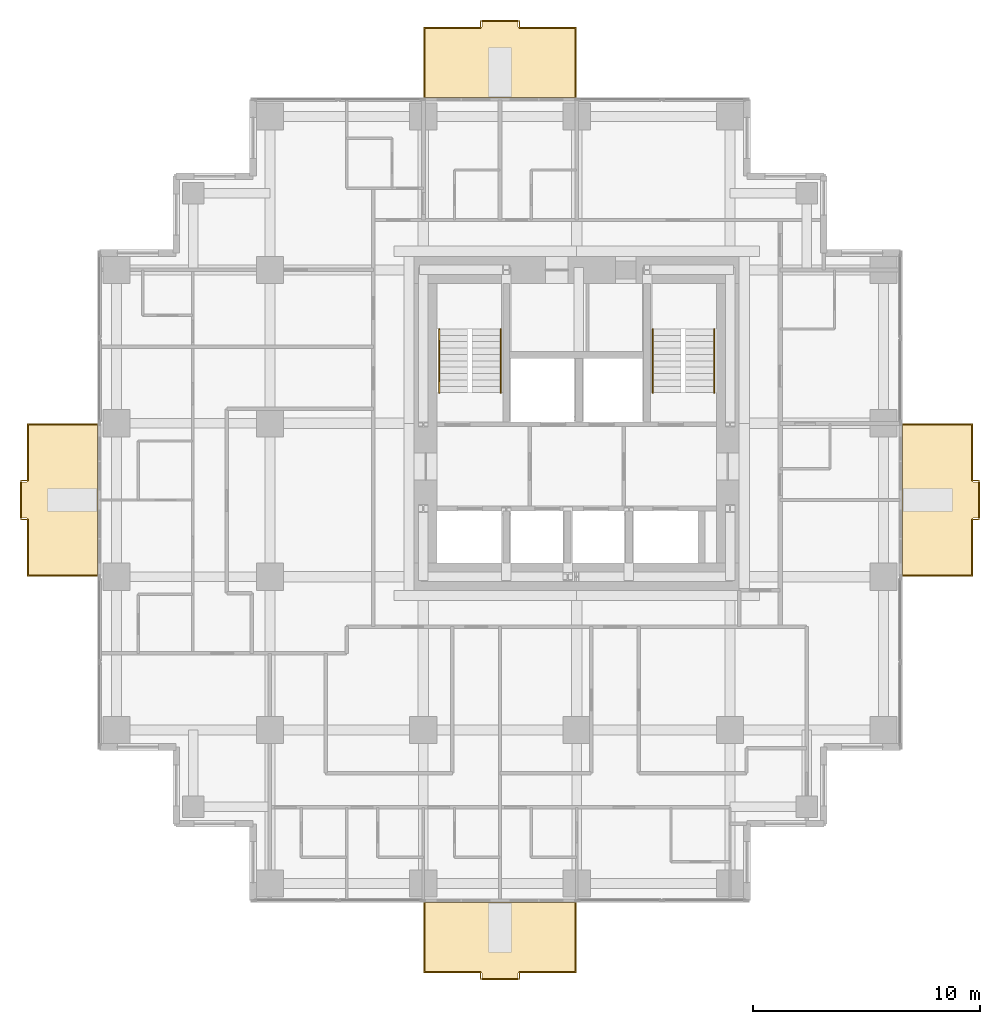
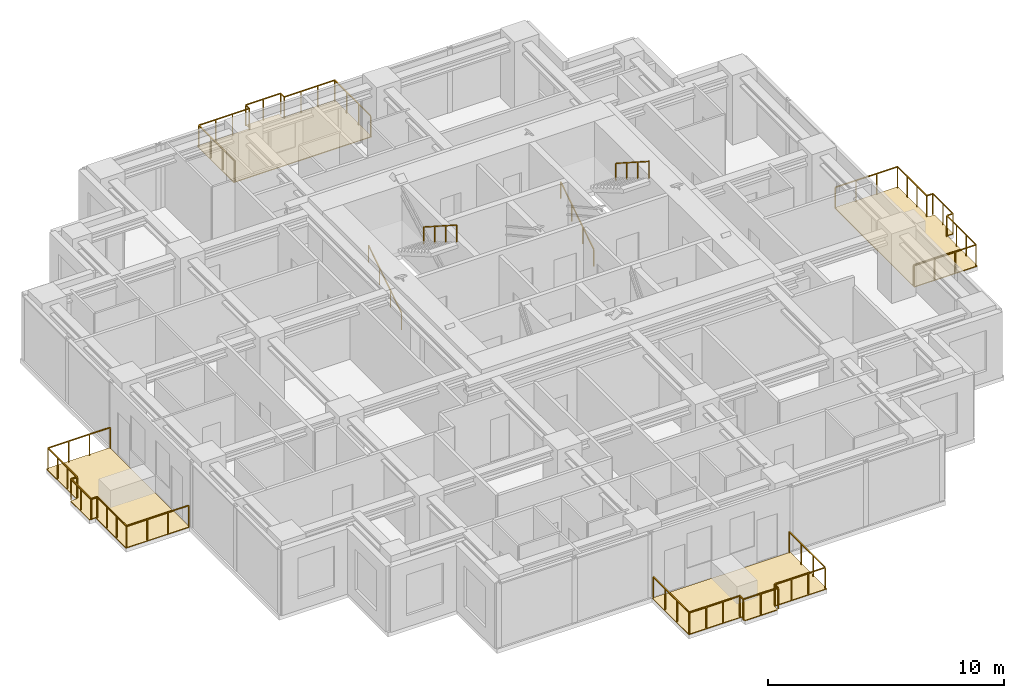
# One storey, part 10 of 10: 8 railings, 4 coverings.
"""IFC4 building model written with IfcOpenShell, lengths in metres."""

from ifc_helpers import new_model, si_unit, direction, frame, origin, origin_2d, place, context, subcontext, project, spatial, polyline, rectangle, outline, extrude, material, layer, layer_set, type_object, element, save


model = new_model("IFC4")

# Units and contexts
model_context = context("Model", 3, precision=1e-05, world=origin(), true_north=direction((0.0, 1.0)))
body_context = subcontext(model_context, "Body", "Model", "MODEL_VIEW")
ifc_project = project(units=[si_unit("LENGTHUNIT", "METRE"), si_unit("AREAUNIT", "SQUARE_METRE"), si_unit("VOLUMEUNIT", "CUBIC_METRE"), si_unit("PLANEANGLEUNIT", "RADIAN"), si_unit("MASSUNIT", "GRAM", prefix="KILO")], contexts=[model_context])

# Site, building, storey
site_placement = place(None, origin())
site = spatial("IfcSite", under=ifc_project, at=site_placement, CompositionType="ELEMENT")
building_placement = place(site_placement, origin())
building = spatial("IfcBuilding", under=site, at=building_placement, Name="Nyansa Garden Tower", CompositionType="ELEMENT")
storey_placement = place(building_placement, frame((0.0, 0.0, 178.199951171875)))
storey = spatial("IfcBuildingStorey", under=building, at=storey_placement, Name="L48", CompositionType="ELEMENT", Elevation=178.199951171875)

# Coverings
ifc_material_1 = material(Name="Hardwood decking on pedestals", Category="wood")
ifc_layer = layer(ifc_material_1, 0.0400390625)
ifc_layer_set = layer_set([ifc_layer], Name="Balcony decking DK40")
covering_type = type_object("IfcCoveringType", Name="Balcony decking DK40", PredefinedType="FLOORING", material=ifc_layer_set)
covering_1_placement = place(storey_placement, frame((0.0, 0.0, -0.0400390625)))
element("IfcCovering", 1, at=covering_1_placement, inside=storey, type_object=covering_type, Name="Balcony decking L48", PredefinedType="FLOORING", context=body_context, shape_type="SweptSolid", body=[
    extrude(outline(polyline([(13.5, -0.85009765625), (20.25, -0.85009765625), (20.25, -3.949951171875), (17.675048828125, -3.949951171875), (17.675048828125, -4.25), (16.074951171875, -4.25), (16.074951171875, -3.949951171875), (13.5, -3.949951171875), (13.5, -0.85009765625)])), origin(), (0.0, 0.0, 1.0), 0.0400390625),
])
covering_2_placement = place(storey_placement, frame((0.0, 0.0, -0.0400390625)))
element("IfcCovering", 2, at=covering_2_placement, inside=storey, type_object=covering_type, Name="Balcony decking L48", PredefinedType="FLOORING", context=body_context, shape_type="SweptSolid", body=[
    extrude(outline(polyline([(34.60009765625, 13.5), (34.60009765625, 20.25), (37.699951171875, 20.25), (37.699951171875, 17.675048828125), (38.0, 17.675048828125), (38.0, 16.074951171875), (37.699951171875, 16.074951171875), (37.699951171875, 13.5), (34.60009765625, 13.5)])), origin(), (0.0, 0.0, 1.0), 0.0400390625),
])
covering_3_placement = place(storey_placement, frame((0.0, 0.0, -0.0400390625)))
element("IfcCovering", 3, at=covering_3_placement, inside=storey, type_object=covering_type, Name="Balcony decking L48", PredefinedType="FLOORING", context=body_context, shape_type="SweptSolid", body=[
    extrude(outline(polyline([(13.5, 34.60009765625), (20.25, 34.60009765625), (20.25, 37.699951171875), (17.675048828125, 37.699951171875), (17.675048828125, 38.0), (16.074951171875, 38.0), (16.074951171875, 37.699951171875), (13.5, 37.699951171875), (13.5, 34.60009765625)])), origin(), (0.0, 0.0, 1.0), 0.0400390625),
])
covering_4_placement = place(storey_placement, frame((0.0, 0.0, -0.0400390625)))
element("IfcCovering", 4, at=covering_4_placement, inside=storey, type_object=covering_type, Name="Balcony decking L48", PredefinedType="FLOORING", context=body_context, shape_type="SweptSolid", body=[
    extrude(outline(polyline([(-0.85009765625, 13.5), (-0.85009765625, 20.25), (-3.949951171875, 20.25), (-3.949951171875, 17.675048828125), (-4.25, 17.675048828125), (-4.25, 16.074951171875), (-3.949951171875, 16.074951171875), (-3.949951171875, 13.5), (-0.85009765625, 13.5)])), origin(), (0.0, 0.0, 1.0), 0.0400390625),
])

# Railings
ifc_material_2 = material(Name="Black powder-coated steel balusters, laminated glass infill", Category="steel")
railing_type_1 = type_object("IfcRailingType", Name="Balcony guard G1", PredefinedType="GUARDRAIL", material=ifc_material_2)
railing_1_placement = place(storey_placement, frame((13.550048828125, -0.85009765625, 0.0)))
element("IfcRailing", 5, at=railing_1_placement, inside=storey, type_object=railing_type_1, Name="Balcony guard L48", PredefinedType="GUARDRAIL", context=body_context, shape_type="SweptSolid", body=[
    extrude(rectangle(XDim=0.048095703125, YDim=0.048095703125, at=origin_2d()), frame((0.0, 0.0, 1.076171875), z_axis=(0.0, -1.0, 0.0), x_axis=(1.0, 0.0, 0.0)), (0.0, 0.0, 1.0), 3.0498046875),
    extrude(rectangle(XDim=0.048095703125, YDim=0.048095703125, at=origin_2d()), frame((0.0, -3.0498046875, 1.076171875), z_axis=(1.0, 0.0, 0.0), x_axis=(0.0, 1.0, 0.0)), (0.0, 0.0, 1.0), 2.474853515625),
    extrude(rectangle(XDim=0.048095703125, YDim=0.048095703125, at=origin_2d()), frame((2.474853515625, -3.0498046875, 1.076171875), z_axis=(0.0, -1.0, 0.0), x_axis=(1.0, 0.0, 0.0)), (0.0, 0.0, 1.0), 0.300048828125),
    extrude(rectangle(XDim=0.048095703125, YDim=0.048095703125, at=origin_2d()), frame((2.474853515625, -3.349853515625, 1.076171875), z_axis=(1.0, 0.0, 0.0), x_axis=(0.0, 1.0, 0.0)), (0.0, 0.0, 1.0), 1.7001953125),
    extrude(rectangle(XDim=0.048095703125, YDim=0.048095703125, at=origin_2d()), frame((4.175048828125, -3.349853515625, 1.076171875), z_axis=(0.0, 1.0, 0.0), x_axis=(-1.0, 0.0, 0.0)), (0.0, 0.0, 1.0), 0.300048828125),
    extrude(rectangle(XDim=0.048095703125, YDim=0.048095703125, at=origin_2d()), frame((4.175048828125, -3.0498046875, 1.076171875), z_axis=(1.0, 0.0, 0.0), x_axis=(0.0, 1.0, 0.0)), (0.0, 0.0, 1.0), 2.474853515625),
    extrude(rectangle(XDim=0.048095703125, YDim=0.048095703125, at=origin_2d()), frame((6.64990234375, -3.0498046875, 1.076171875), z_axis=(0.0, 1.0, 0.0), x_axis=(-1.0, 0.0, 0.0)), (0.0, 0.0, 1.0), 3.0498046875),
    extrude(rectangle(XDim=0.0419921875, YDim=0.0419921875, at=origin_2d()), origin(), (0.0, 0.0, 1.0), 1.052001953125),
    extrude(rectangle(XDim=0.0419921875, YDim=0.0419921875, at=origin_2d()), frame((0.0, -1.0166015625, 0.0)), (0.0, 0.0, 1.0), 1.052001953125),
    extrude(rectangle(XDim=0.0419921875, YDim=0.0419921875, at=origin_2d()), frame((0.0, -2.033203125, 0.0)), (0.0, 0.0, 1.0), 1.052001953125),
    extrude(rectangle(XDim=0.0419921875, YDim=0.0419921875, at=origin_2d()), frame((0.0, -3.0498046875, 0.0)), (0.0, 0.0, 1.0), 1.052001953125),
    extrude(rectangle(XDim=0.0419921875, YDim=0.0419921875, at=origin_2d()), frame((0.824951171875, -3.0498046875, 0.0)), (0.0, 0.0, 1.0), 1.052001953125),
    extrude(rectangle(XDim=0.0419921875, YDim=0.0419921875, at=origin_2d()), frame((1.64990234375, -3.0498046875, 0.0)), (0.0, 0.0, 1.0), 1.052001953125),
    extrude(rectangle(XDim=0.0419921875, YDim=0.0419921875, at=origin_2d()), frame((2.474853515625, -3.0498046875, 0.0)), (0.0, 0.0, 1.0), 1.052001953125),
    extrude(rectangle(XDim=0.0419921875, YDim=0.0419921875, at=origin_2d()), frame((2.474853515625, -3.349853515625, 0.0)), (0.0, 0.0, 1.0), 1.052001953125),
    extrude(rectangle(XDim=0.0419921875, YDim=0.0419921875, at=origin_2d()), frame((3.324951171875, -3.349853515625, 0.0)), (0.0, 0.0, 1.0), 1.052001953125),
    extrude(rectangle(XDim=0.0419921875, YDim=0.0419921875, at=origin_2d()), frame((4.175048828125, -3.349853515625, 0.0)), (0.0, 0.0, 1.0), 1.052001953125),
    extrude(rectangle(XDim=0.0419921875, YDim=0.0419921875, at=origin_2d()), frame((4.175048828125, -3.0498046875, 0.0)), (0.0, 0.0, 1.0), 1.052001953125),
    extrude(rectangle(XDim=0.0419921875, YDim=0.0419921875, at=origin_2d()), frame((5.0, -3.0498046875, 0.0)), (0.0, 0.0, 1.0), 1.052001953125),
    extrude(rectangle(XDim=0.0419921875, YDim=0.0419921875, at=origin_2d()), frame((5.824951171875, -3.0498046875, 0.0)), (0.0, 0.0, 1.0), 1.052001953125),
    extrude(rectangle(XDim=0.0419921875, YDim=0.0419921875, at=origin_2d()), frame((6.64990234375, -3.0498046875, 0.0)), (0.0, 0.0, 1.0), 1.052001953125),
    extrude(rectangle(XDim=0.0419921875, YDim=0.0419921875, at=origin_2d()), frame((6.64990234375, -2.033203125, 0.0)), (0.0, 0.0, 1.0), 1.052001953125),
    extrude(rectangle(XDim=0.0419921875, YDim=0.0419921875, at=origin_2d()), frame((6.64990234375, -1.0166015625, 0.0)), (0.0, 0.0, 1.0), 1.052001953125),
    extrude(rectangle(XDim=0.0419921875, YDim=0.0419921875, at=origin_2d()), frame((6.64990234375, 0.0, 0.0)), (0.0, 0.0, 1.0), 1.052001953125),
])
railing_2_placement = place(storey_placement, frame((34.60009765625, 13.550048828125, 0.0)))
element("IfcRailing", 6, at=railing_2_placement, inside=storey, type_object=railing_type_1, Name="Balcony guard L48", PredefinedType="GUARDRAIL", context=body_context, shape_type="SweptSolid", body=[
    extrude(rectangle(XDim=0.048095703125, YDim=0.048095703125, at=origin_2d()), frame((0.0, 0.0, 1.076171875), z_axis=(1.0, 0.0, 0.0), x_axis=(0.0, 1.0, 0.0)), (0.0, 0.0, 1.0), 3.0498046875),
    extrude(rectangle(XDim=0.048095703125, YDim=0.048095703125, at=origin_2d()), frame((3.0498046875, 0.0, 1.076171875), z_axis=(0.0, 1.0, 0.0), x_axis=(-1.0, 0.0, 0.0)), (0.0, 0.0, 1.0), 2.474853515625),
    extrude(rectangle(XDim=0.048095703125, YDim=0.048095703125, at=origin_2d()), frame((3.0498046875, 2.474853515625, 1.076171875), z_axis=(1.0, 0.0, 0.0), x_axis=(0.0, 1.0, 0.0)), (0.0, 0.0, 1.0), 0.300048828125),
    extrude(rectangle(XDim=0.048095703125, YDim=0.048095703125, at=origin_2d()), frame((3.349853515625, 2.474853515625, 1.076171875), z_axis=(0.0, 1.0, 0.0), x_axis=(-1.0, 0.0, 0.0)), (0.0, 0.0, 1.0), 1.7001953125),
    extrude(rectangle(XDim=0.048095703125, YDim=0.048095703125, at=origin_2d()), frame((3.349853515625, 4.175048828125, 1.076171875), z_axis=(-1.0, 0.0, 0.0), x_axis=(0.0, -1.0, 0.0)), (0.0, 0.0, 1.0), 0.300048828125),
    extrude(rectangle(XDim=0.048095703125, YDim=0.048095703125, at=origin_2d()), frame((3.0498046875, 4.175048828125, 1.076171875), z_axis=(0.0, 1.0, 0.0), x_axis=(-1.0, 0.0, 0.0)), (0.0, 0.0, 1.0), 2.474853515625),
    extrude(rectangle(XDim=0.048095703125, YDim=0.048095703125, at=origin_2d()), frame((3.0498046875, 6.64990234375, 1.076171875), z_axis=(-1.0, 0.0, 0.0), x_axis=(0.0, -1.0, 0.0)), (0.0, 0.0, 1.0), 3.0498046875),
    extrude(rectangle(XDim=0.0419921875, YDim=0.0419921875, at=origin_2d()), origin(), (0.0, 0.0, 1.0), 1.052001953125),
    extrude(rectangle(XDim=0.0419921875, YDim=0.0419921875, at=origin_2d()), frame((1.0166015625, 0.0, 0.0)), (0.0, 0.0, 1.0), 1.052001953125),
    extrude(rectangle(XDim=0.0419921875, YDim=0.0419921875, at=origin_2d()), frame((2.033203125, 0.0, 0.0)), (0.0, 0.0, 1.0), 1.052001953125),
    extrude(rectangle(XDim=0.0419921875, YDim=0.0419921875, at=origin_2d()), frame((3.0498046875, 0.0, 0.0)), (0.0, 0.0, 1.0), 1.052001953125),
    extrude(rectangle(XDim=0.0419921875, YDim=0.0419921875, at=origin_2d()), frame((3.0498046875, 0.824951171875, 0.0)), (0.0, 0.0, 1.0), 1.052001953125),
    extrude(rectangle(XDim=0.0419921875, YDim=0.0419921875, at=origin_2d()), frame((3.0498046875, 1.64990234375, 0.0)), (0.0, 0.0, 1.0), 1.052001953125),
    extrude(rectangle(XDim=0.0419921875, YDim=0.0419921875, at=origin_2d()), frame((3.0498046875, 2.474853515625, 0.0)), (0.0, 0.0, 1.0), 1.052001953125),
    extrude(rectangle(XDim=0.0419921875, YDim=0.0419921875, at=origin_2d()), frame((3.349853515625, 2.474853515625, 0.0)), (0.0, 0.0, 1.0), 1.052001953125),
    extrude(rectangle(XDim=0.0419921875, YDim=0.0419921875, at=origin_2d()), frame((3.349853515625, 3.324951171875, 0.0)), (0.0, 0.0, 1.0), 1.052001953125),
    extrude(rectangle(XDim=0.0419921875, YDim=0.0419921875, at=origin_2d()), frame((3.349853515625, 4.175048828125, 0.0)), (0.0, 0.0, 1.0), 1.052001953125),
    extrude(rectangle(XDim=0.0419921875, YDim=0.0419921875, at=origin_2d()), frame((3.0498046875, 4.175048828125, 0.0)), (0.0, 0.0, 1.0), 1.052001953125),
    extrude(rectangle(XDim=0.0419921875, YDim=0.0419921875, at=origin_2d()), frame((3.0498046875, 5.0, 0.0)), (0.0, 0.0, 1.0), 1.052001953125),
    extrude(rectangle(XDim=0.0419921875, YDim=0.0419921875, at=origin_2d()), frame((3.0498046875, 5.824951171875, 0.0)), (0.0, 0.0, 1.0), 1.052001953125),
    extrude(rectangle(XDim=0.0419921875, YDim=0.0419921875, at=origin_2d()), frame((3.0498046875, 6.64990234375, 0.0)), (0.0, 0.0, 1.0), 1.052001953125),
    extrude(rectangle(XDim=0.0419921875, YDim=0.0419921875, at=origin_2d()), frame((2.033203125, 6.64990234375, 0.0)), (0.0, 0.0, 1.0), 1.052001953125),
    extrude(rectangle(XDim=0.0419921875, YDim=0.0419921875, at=origin_2d()), frame((1.0166015625, 6.64990234375, 0.0)), (0.0, 0.0, 1.0), 1.052001953125),
    extrude(rectangle(XDim=0.0419921875, YDim=0.0419921875, at=origin_2d()), frame((0.0, 6.64990234375, 0.0)), (0.0, 0.0, 1.0), 1.052001953125),
])
railing_3_placement = place(storey_placement, frame((13.550048828125, 34.60009765625, 0.0)))
element("IfcRailing", 7, at=railing_3_placement, inside=storey, type_object=railing_type_1, Name="Balcony guard L48", PredefinedType="GUARDRAIL", context=body_context, shape_type="SweptSolid", body=[
    extrude(rectangle(XDim=0.048095703125, YDim=0.048095703125, at=origin_2d()), frame((0.0, 0.0, 1.076171875), z_axis=(0.0, 1.0, 0.0), x_axis=(-1.0, 0.0, 0.0)), (0.0, 0.0, 1.0), 3.0498046875),
    extrude(rectangle(XDim=0.048095703125, YDim=0.048095703125, at=origin_2d()), frame((0.0, 3.0498046875, 1.076171875), z_axis=(1.0, 0.0, 0.0), x_axis=(0.0, 1.0, 0.0)), (0.0, 0.0, 1.0), 2.474853515625),
    extrude(rectangle(XDim=0.048095703125, YDim=0.048095703125, at=origin_2d()), frame((2.474853515625, 3.0498046875, 1.076171875), z_axis=(0.0, 1.0, 0.0), x_axis=(-1.0, 0.0, 0.0)), (0.0, 0.0, 1.0), 0.300048828125),
    extrude(rectangle(XDim=0.048095703125, YDim=0.048095703125, at=origin_2d()), frame((2.474853515625, 3.349853515625, 1.076171875), z_axis=(1.0, 0.0, 0.0), x_axis=(0.0, 1.0, 0.0)), (0.0, 0.0, 1.0), 1.7001953125),
    extrude(rectangle(XDim=0.048095703125, YDim=0.048095703125, at=origin_2d()), frame((4.175048828125, 3.349853515625, 1.076171875), z_axis=(0.0, -1.0, 0.0), x_axis=(1.0, 0.0, 0.0)), (0.0, 0.0, 1.0), 0.300048828125),
    extrude(rectangle(XDim=0.048095703125, YDim=0.048095703125, at=origin_2d()), frame((4.175048828125, 3.0498046875, 1.076171875), z_axis=(1.0, 0.0, 0.0), x_axis=(0.0, 1.0, 0.0)), (0.0, 0.0, 1.0), 2.474853515625),
    extrude(rectangle(XDim=0.048095703125, YDim=0.048095703125, at=origin_2d()), frame((6.64990234375, 3.0498046875, 1.076171875), z_axis=(0.0, -1.0, 0.0), x_axis=(1.0, 0.0, 0.0)), (0.0, 0.0, 1.0), 3.0498046875),
    extrude(rectangle(XDim=0.0419921875, YDim=0.0419921875, at=origin_2d()), origin(), (0.0, 0.0, 1.0), 1.052001953125),
    extrude(rectangle(XDim=0.0419921875, YDim=0.0419921875, at=origin_2d()), frame((0.0, 1.0166015625, 0.0)), (0.0, 0.0, 1.0), 1.052001953125),
    extrude(rectangle(XDim=0.0419921875, YDim=0.0419921875, at=origin_2d()), frame((0.0, 2.033203125, 0.0)), (0.0, 0.0, 1.0), 1.052001953125),
    extrude(rectangle(XDim=0.0419921875, YDim=0.0419921875, at=origin_2d()), frame((0.0, 3.0498046875, 0.0)), (0.0, 0.0, 1.0), 1.052001953125),
    extrude(rectangle(XDim=0.0419921875, YDim=0.0419921875, at=origin_2d()), frame((0.824951171875, 3.0498046875, 0.0)), (0.0, 0.0, 1.0), 1.052001953125),
    extrude(rectangle(XDim=0.0419921875, YDim=0.0419921875, at=origin_2d()), frame((1.64990234375, 3.0498046875, 0.0)), (0.0, 0.0, 1.0), 1.052001953125),
    extrude(rectangle(XDim=0.0419921875, YDim=0.0419921875, at=origin_2d()), frame((2.474853515625, 3.0498046875, 0.0)), (0.0, 0.0, 1.0), 1.052001953125),
    extrude(rectangle(XDim=0.0419921875, YDim=0.0419921875, at=origin_2d()), frame((2.474853515625, 3.349853515625, 0.0)), (0.0, 0.0, 1.0), 1.052001953125),
    extrude(rectangle(XDim=0.0419921875, YDim=0.0419921875, at=origin_2d()), frame((3.324951171875, 3.349853515625, 0.0)), (0.0, 0.0, 1.0), 1.052001953125),
    extrude(rectangle(XDim=0.0419921875, YDim=0.0419921875, at=origin_2d()), frame((4.175048828125, 3.349853515625, 0.0)), (0.0, 0.0, 1.0), 1.052001953125),
    extrude(rectangle(XDim=0.0419921875, YDim=0.0419921875, at=origin_2d()), frame((4.175048828125, 3.0498046875, 0.0)), (0.0, 0.0, 1.0), 1.052001953125),
    extrude(rectangle(XDim=0.0419921875, YDim=0.0419921875, at=origin_2d()), frame((5.0, 3.0498046875, 0.0)), (0.0, 0.0, 1.0), 1.052001953125),
    extrude(rectangle(XDim=0.0419921875, YDim=0.0419921875, at=origin_2d()), frame((5.824951171875, 3.0498046875, 0.0)), (0.0, 0.0, 1.0), 1.052001953125),
    extrude(rectangle(XDim=0.0419921875, YDim=0.0419921875, at=origin_2d()), frame((6.64990234375, 3.0498046875, 0.0)), (0.0, 0.0, 1.0), 1.052001953125),
    extrude(rectangle(XDim=0.0419921875, YDim=0.0419921875, at=origin_2d()), frame((6.64990234375, 2.033203125, 0.0)), (0.0, 0.0, 1.0), 1.052001953125),
    extrude(rectangle(XDim=0.0419921875, YDim=0.0419921875, at=origin_2d()), frame((6.64990234375, 1.0166015625, 0.0)), (0.0, 0.0, 1.0), 1.052001953125),
    extrude(rectangle(XDim=0.0419921875, YDim=0.0419921875, at=origin_2d()), frame((6.64990234375, 0.0, 0.0)), (0.0, 0.0, 1.0), 1.052001953125),
])
railing_4_placement = place(storey_placement, frame((-0.85009765625, 13.550048828125, 0.0)))
element("IfcRailing", 8, at=railing_4_placement, inside=storey, type_object=railing_type_1, Name="Balcony guard L48", PredefinedType="GUARDRAIL", context=body_context, shape_type="SweptSolid", body=[
    extrude(rectangle(XDim=0.048095703125, YDim=0.048095703125, at=origin_2d()), frame((0.0, 0.0, 1.076171875), z_axis=(-1.0, 0.0, 0.0), x_axis=(0.0, -1.0, 0.0)), (0.0, 0.0, 1.0), 3.0498046875),
    extrude(rectangle(XDim=0.048095703125, YDim=0.048095703125, at=origin_2d()), frame((-3.0498046875, 0.0, 1.076171875), z_axis=(0.0, 1.0, 0.0), x_axis=(-1.0, 0.0, 0.0)), (0.0, 0.0, 1.0), 2.474853515625),
    extrude(rectangle(XDim=0.048095703125, YDim=0.048095703125, at=origin_2d()), frame((-3.0498046875, 2.474853515625, 1.076171875), z_axis=(-1.0, 0.0, 0.0), x_axis=(0.0, -1.0, 0.0)), (0.0, 0.0, 1.0), 0.300048828125),
    extrude(rectangle(XDim=0.048095703125, YDim=0.048095703125, at=origin_2d()), frame((-3.349853515625, 2.474853515625, 1.076171875), z_axis=(0.0, 1.0, 0.0), x_axis=(-1.0, 0.0, 0.0)), (0.0, 0.0, 1.0), 1.7001953125),
    extrude(rectangle(XDim=0.048095703125, YDim=0.048095703125, at=origin_2d()), frame((-3.349853515625, 4.175048828125, 1.076171875), z_axis=(1.0, 0.0, 0.0), x_axis=(0.0, 1.0, 0.0)), (0.0, 0.0, 1.0), 0.300048828125),
    extrude(rectangle(XDim=0.048095703125, YDim=0.048095703125, at=origin_2d()), frame((-3.0498046875, 4.175048828125, 1.076171875), z_axis=(0.0, 1.0, 0.0), x_axis=(-1.0, 0.0, 0.0)), (0.0, 0.0, 1.0), 2.474853515625),
    extrude(rectangle(XDim=0.048095703125, YDim=0.048095703125, at=origin_2d()), frame((-3.0498046875, 6.64990234375, 1.076171875), z_axis=(1.0, 0.0, 0.0), x_axis=(0.0, 1.0, 0.0)), (0.0, 0.0, 1.0), 3.0498046875),
    extrude(rectangle(XDim=0.0419921875, YDim=0.0419921875, at=origin_2d()), origin(), (0.0, 0.0, 1.0), 1.052001953125),
    extrude(rectangle(XDim=0.0419921875, YDim=0.0419921875, at=origin_2d()), frame((-1.0166015625, 0.0, 0.0)), (0.0, 0.0, 1.0), 1.052001953125),
    extrude(rectangle(XDim=0.0419921875, YDim=0.0419921875, at=origin_2d()), frame((-2.033203125, 0.0, 0.0)), (0.0, 0.0, 1.0), 1.052001953125),
    extrude(rectangle(XDim=0.0419921875, YDim=0.0419921875, at=origin_2d()), frame((-3.0498046875, 0.0, 0.0)), (0.0, 0.0, 1.0), 1.052001953125),
    extrude(rectangle(XDim=0.0419921875, YDim=0.0419921875, at=origin_2d()), frame((-3.0498046875, 0.824951171875, 0.0)), (0.0, 0.0, 1.0), 1.052001953125),
    extrude(rectangle(XDim=0.0419921875, YDim=0.0419921875, at=origin_2d()), frame((-3.0498046875, 1.64990234375, 0.0)), (0.0, 0.0, 1.0), 1.052001953125),
    extrude(rectangle(XDim=0.0419921875, YDim=0.0419921875, at=origin_2d()), frame((-3.0498046875, 2.474853515625, 0.0)), (0.0, 0.0, 1.0), 1.052001953125),
    extrude(rectangle(XDim=0.0419921875, YDim=0.0419921875, at=origin_2d()), frame((-3.349853515625, 2.474853515625, 0.0)), (0.0, 0.0, 1.0), 1.052001953125),
    extrude(rectangle(XDim=0.0419921875, YDim=0.0419921875, at=origin_2d()), frame((-3.349853515625, 3.324951171875, 0.0)), (0.0, 0.0, 1.0), 1.052001953125),
    extrude(rectangle(XDim=0.0419921875, YDim=0.0419921875, at=origin_2d()), frame((-3.349853515625, 4.175048828125, 0.0)), (0.0, 0.0, 1.0), 1.052001953125),
    extrude(rectangle(XDim=0.0419921875, YDim=0.0419921875, at=origin_2d()), frame((-3.0498046875, 4.175048828125, 0.0)), (0.0, 0.0, 1.0), 1.052001953125),
    extrude(rectangle(XDim=0.0419921875, YDim=0.0419921875, at=origin_2d()), frame((-3.0498046875, 5.0, 0.0)), (0.0, 0.0, 1.0), 1.052001953125),
    extrude(rectangle(XDim=0.0419921875, YDim=0.0419921875, at=origin_2d()), frame((-3.0498046875, 5.824951171875, 0.0)), (0.0, 0.0, 1.0), 1.052001953125),
    extrude(rectangle(XDim=0.0419921875, YDim=0.0419921875, at=origin_2d()), frame((-3.0498046875, 6.64990234375, 0.0)), (0.0, 0.0, 1.0), 1.052001953125),
    extrude(rectangle(XDim=0.0419921875, YDim=0.0419921875, at=origin_2d()), frame((-2.033203125, 6.64990234375, 0.0)), (0.0, 0.0, 1.0), 1.052001953125),
    extrude(rectangle(XDim=0.0419921875, YDim=0.0419921875, at=origin_2d()), frame((-1.0166015625, 6.64990234375, 0.0)), (0.0, 0.0, 1.0), 1.052001953125),
    extrude(rectangle(XDim=0.0419921875, YDim=0.0419921875, at=origin_2d()), frame((0.0, 6.64990234375, 0.0)), (0.0, 0.0, 1.0), 1.052001953125),
])
ifc_material_3 = material(Name="Black powder-coated steel tube 48 mm", Category="steel")
railing_type_2 = type_object("IfcRailingType", Name="Stair handrail HR1", PredefinedType="HANDRAIL", material=ifc_material_3)
railing_5_placement = place(storey_placement, frame((14.199951171875, 21.60009765625, 0.0)))
element("IfcRailing", 9, at=railing_5_placement, inside=storey, type_object=railing_type_2, Name="Stair S1 handrail L48", PredefinedType="HANDRAIL", context=body_context, shape_type="SweptSolid", body=[
    extrude(rectangle(XDim=0.048095703125, YDim=0.048095703125, at=origin_2d()), frame((0.0, 0.0, 0.8759765625), z_axis=(0.0, 0.841154643086, 0.54079466197), x_axis=(-1.0, 0.0, 0.0)), (0.0, 0.0, 1.0), 3.32861328125),
    extrude(rectangle(XDim=0.0419921875, YDim=0.0419921875, at=origin_2d()), origin(), (0.0, 0.0, 1.0), 0.851806640625),
    extrude(rectangle(XDim=0.0419921875, YDim=0.0419921875, at=origin_2d()), frame((0.0, 0.933349609375, 0.60009765625)), (0.0, 0.0, 1.0), 0.851806640625),
    extrude(rectangle(XDim=0.0419921875, YDim=0.0419921875, at=origin_2d()), frame((0.0, 1.866455078125, 1.199951171875)), (0.0, 0.0, 1.0), 0.851806640625),
    extrude(rectangle(XDim=0.0419921875, YDim=0.0419921875, at=origin_2d()), frame((0.0, 2.7998046875, 1.800048828125)), (0.0, 0.0, 1.0), 0.851806640625),
])
railing_6_placement = place(storey_placement, frame((16.89990234375, 24.39990234375, 1.800048828125)))
element("IfcRailing", 10, at=railing_6_placement, inside=storey, type_object=railing_type_2, Name="Stair S1 handrail L48", PredefinedType="HANDRAIL", context=body_context, shape_type="SweptSolid", body=[
    extrude(rectangle(XDim=0.048095703125, YDim=0.048095703125, at=origin_2d()), frame((0.0, 0.0, 0.8759765625), z_axis=(0.0, -0.841154643086, 0.54079466197), x_axis=(1.0, 0.0, 0.0)), (0.0, 0.0, 1.0), 3.32861328125),
    extrude(rectangle(XDim=0.0419921875, YDim=0.0419921875, at=origin_2d()), origin(), (0.0, 0.0, 1.0), 0.851806640625),
    extrude(rectangle(XDim=0.0419921875, YDim=0.0419921875, at=origin_2d()), frame((0.0, -0.933349609375, 0.60009765625)), (0.0, 0.0, 1.0), 0.851806640625),
    extrude(rectangle(XDim=0.0419921875, YDim=0.0419921875, at=origin_2d()), frame((0.0, -1.866455078125, 1.199951171875)), (0.0, 0.0, 1.0), 0.851806640625),
    extrude(rectangle(XDim=0.0419921875, YDim=0.0419921875, at=origin_2d()), frame((0.0, -2.7998046875, 1.800048828125)), (0.0, 0.0, 1.0), 0.851806640625),
])
railing_7_placement = place(storey_placement, frame((23.60009765625, 21.60009765625, 0.0)))
element("IfcRailing", 11, at=railing_7_placement, inside=storey, type_object=railing_type_2, Name="Stair S2 handrail L48", PredefinedType="HANDRAIL", context=body_context, shape_type="SweptSolid", body=[
    extrude(rectangle(XDim=0.048095703125, YDim=0.048095703125, at=origin_2d()), frame((0.0, 0.0, 0.8759765625), z_axis=(0.0, 0.841154643086, 0.54079466197), x_axis=(-1.0, 0.0, 0.0)), (0.0, 0.0, 1.0), 3.32861328125),
    extrude(rectangle(XDim=0.0419921875, YDim=0.0419921875, at=origin_2d()), origin(), (0.0, 0.0, 1.0), 0.851806640625),
    extrude(rectangle(XDim=0.0419921875, YDim=0.0419921875, at=origin_2d()), frame((0.0, 0.933349609375, 0.60009765625)), (0.0, 0.0, 1.0), 0.851806640625),
    extrude(rectangle(XDim=0.0419921875, YDim=0.0419921875, at=origin_2d()), frame((0.0, 1.866455078125, 1.199951171875)), (0.0, 0.0, 1.0), 0.851806640625),
    extrude(rectangle(XDim=0.0419921875, YDim=0.0419921875, at=origin_2d()), frame((0.0, 2.7998046875, 1.800048828125)), (0.0, 0.0, 1.0), 0.851806640625),
])
railing_8_placement = place(storey_placement, frame((26.300048828125, 24.39990234375, 1.800048828125)))
element("IfcRailing", 12, at=railing_8_placement, inside=storey, type_object=railing_type_2, Name="Stair S2 handrail L48", PredefinedType="HANDRAIL", context=body_context, shape_type="SweptSolid", body=[
    extrude(rectangle(XDim=0.048095703125, YDim=0.048095703125, at=origin_2d()), frame((0.0, 0.0, 0.8759765625), z_axis=(0.0, -0.841154643086, 0.54079466197), x_axis=(1.0, 0.0, 0.0)), (0.0, 0.0, 1.0), 3.32861328125),
    extrude(rectangle(XDim=0.0419921875, YDim=0.0419921875, at=origin_2d()), origin(), (0.0, 0.0, 1.0), 0.851806640625),
    extrude(rectangle(XDim=0.0419921875, YDim=0.0419921875, at=origin_2d()), frame((0.0, -0.933349609375, 0.60009765625)), (0.0, 0.0, 1.0), 0.851806640625),
    extrude(rectangle(XDim=0.0419921875, YDim=0.0419921875, at=origin_2d()), frame((0.0, -1.866455078125, 1.199951171875)), (0.0, 0.0, 1.0), 0.851806640625),
    extrude(rectangle(XDim=0.0419921875, YDim=0.0419921875, at=origin_2d()), frame((0.0, -2.7998046875, 1.800048828125)), (0.0, 0.0, 1.0), 0.851806640625),
])

save(model, "model.ifc")
